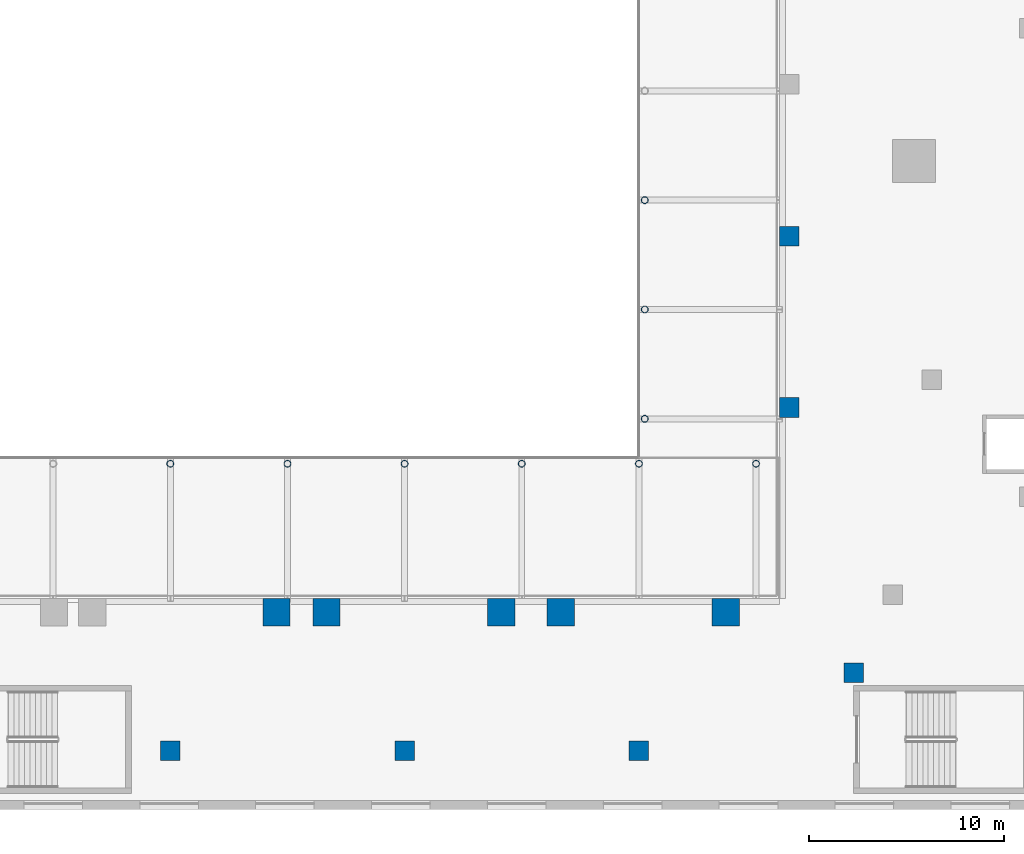
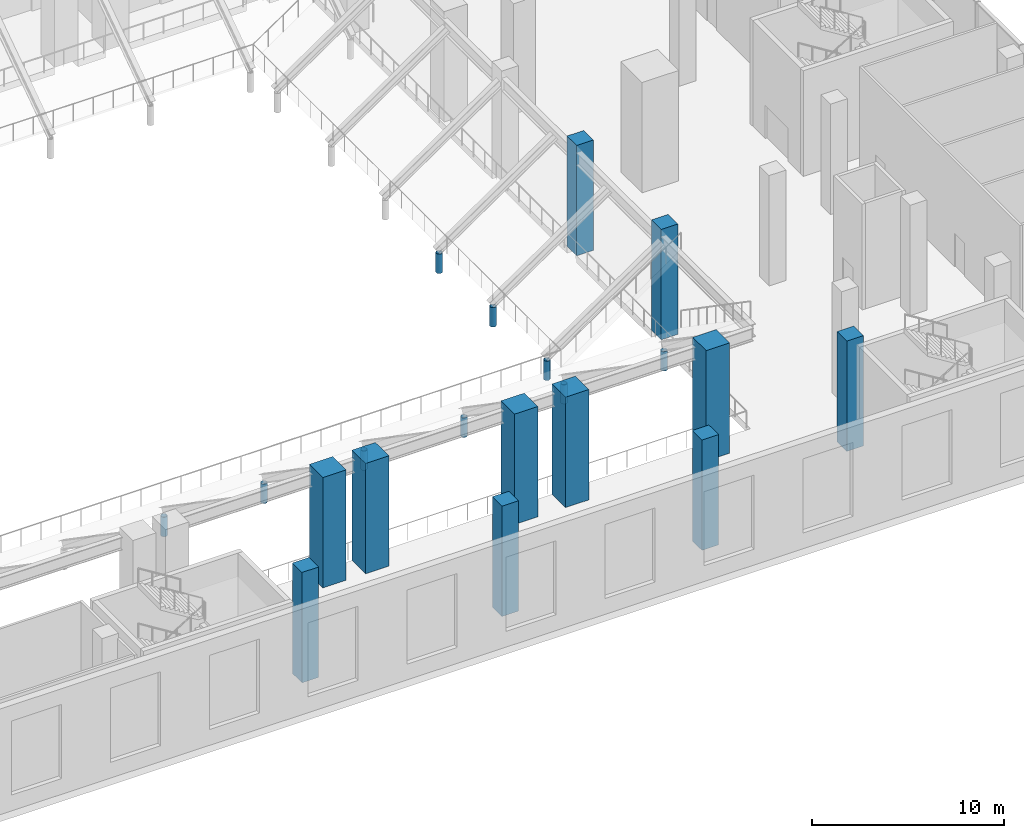
# One storey, part 5 of 41: 20 columns.
"""IFC4 building model written with IfcOpenShell, lengths in metres."""

from ifc_helpers import new_model, si_unit, direction, frame, origin, origin_2d, place, context, subcontext, project, spatial, rectangle, hollow_circle, extrude, material, material_profile, profile_set, type_object, element, save


model = new_model("IFC4")

# Units and contexts
model_context = context("Model", 3, precision=1e-05, world=origin(), true_north=direction((0.0, 1.0)))
body_context = subcontext(model_context, "Body", "Model", "MODEL_VIEW")
ifc_project = project(units=[si_unit("LENGTHUNIT", "METRE"), si_unit("AREAUNIT", "SQUARE_METRE"), si_unit("VOLUMEUNIT", "CUBIC_METRE"), si_unit("PLANEANGLEUNIT", "RADIAN"), si_unit("MASSUNIT", "GRAM", prefix="KILO")], contexts=[model_context])

# Site, building, storey
site_placement = place(None, origin())
site = spatial("IfcSite", under=ifc_project, at=site_placement, CompositionType="ELEMENT")
building_placement = place(site_placement, origin())
building = spatial("IfcBuilding", under=site, at=building_placement, Name="Wharfspan Tower", CompositionType="ELEMENT")
storey_placement = place(building_placement, frame((0.0, 0.0, 8.0)))
storey = spatial("IfcBuildingStorey", under=building, at=storey_placement, Name="L01", CompositionType="ELEMENT", Elevation=8.0)

# Columns
ifc_material_1 = material(Name="Concrete C60/75", Category="concrete")
ifc_material_profile_1 = material_profile(ifc_material_1, rectangle(XDim=1.0, YDim=1.0, at=origin_2d()))
ifc_profile_set_1 = profile_set([ifc_material_profile_1], Name="Concrete C60/75")
column_type_1 = type_object("IfcColumnType", Name="Concrete column 1000 square", PredefinedType="COLUMN", material=ifc_profile_set_1)
for number, where, z_axis, x_axis, name in (
    (1, (83.699951, -11.419922, 0.0), (0.0, 0.0, 1.0), (1.0, 0.0, 0.0), "Column G.E6"),
    (2, (83.699951, -2.639893, 0.0), (0.0, 0.0, 1.0), (1.0, 0.0, 0.0), "Column G.E7"),
    (3, (87.0, -25.0, 0.0), (0.0, 0.0, 1.0), (1.0, 0.0, 0.0), "Column D.20"),
    (4, (52.0, -29.0, 0.0), (0.0, 0.0, 1.0), (1.0, 0.0, 0.0), "Column D.26"),
    (5, (64.0, -29.0, 0.0), (0.0, 0.0, 1.0), (1.0, 0.0, 0.0), "Column D.30"),
    (6, (76.0, -29.0, 0.0), (0.0, 0.0, 1.0), (1.0, 0.0, 0.0), "Column D.31"),
):
    element("IfcColumn", number, at=place(storey_placement, frame(where, z_axis=z_axis, x_axis=x_axis)), inside=storey, type_object=column_type_1, Name=name, PredefinedType="COLUMN", context=body_context, shape_type="SweptSolid", body=[
        extrude(rectangle(XDim=1.0, YDim=1.0, at=origin_2d()), origin(), (0.0, 0.0, 1.0), 7.0),
    ])
ifc_material_profile_2 = material_profile(ifc_material_1, rectangle(XDim=1.399902, YDim=1.399902, at=origin_2d()))
ifc_profile_set_2 = profile_set([ifc_material_profile_2], Name="Concrete C60/75")
column_type_2 = type_object("IfcColumnType", Name="Concrete column 1400 square", PredefinedType="COLUMN", material=ifc_profile_set_2)
for number, where, z_axis, x_axis, name in (
    (7, (57.441895, -21.899902, 0.0), (0.0, 0.0, 1.0), (1.0, 0.0, 0.0), "Column RS.8"),
    (8, (60.0, -21.899902, 0.0), (0.0, 0.0, 1.0), (1.0, 0.0, 0.0), "Column RS.9"),
    (9, (68.941895, -21.899902, 0.0), (0.0, 0.0, 1.0), (1.0, 0.0, 0.0), "Column RS.10"),
    (10, (72.0, -21.899902, 0.0), (0.0, 0.0, 1.0), (1.0, 0.0, 0.0), "Column RS.11"),
    (11, (80.441895, -21.899902, 0.0), (0.0, 0.0, 1.0), (1.0, 0.0, 0.0), "Column RS.12"),
):
    element("IfcColumn", number, at=place(storey_placement, frame(where, z_axis=z_axis, x_axis=x_axis)), inside=storey, type_object=column_type_2, Name=name, PredefinedType="COLUMN", context=body_context, shape_type="SweptSolid", body=[
        extrude(rectangle(XDim=1.399902, YDim=1.399902, at=origin_2d()), origin(), (0.0, 0.0, 1.0), 7.0),
    ])
ifc_material_2 = material(Name="Steel S460NH", Category="steel")
ifc_material_profile_3 = material_profile(ifc_material_2, hollow_circle(Radius=0.177734, WallThickness=0.016113, at=origin_2d()))
ifc_profile_set_3 = profile_set([ifc_material_profile_3], Name="Steel S460NH")
column_type_3 = type_object("IfcColumnType", Name="Tier column CHS 356x16", PredefinedType="COLUMN", material=ifc_profile_set_3)
for number, where, z_axis, x_axis, name in (
    (12, (52.0, -14.300049, 0.0), (0.0, 0.0, 1.0), (1.0, 0.0, 0.0), "Upper tier column"),
    (13, (58.0, -14.300049, 0.0), (0.0, 0.0, 1.0), (1.0, 0.0, 0.0), "Upper tier column"),
    (14, (64.0, -14.300049, 0.0), (0.0, 0.0, 1.0), (1.0, 0.0, 0.0), "Upper tier column"),
    (15, (70.0, -14.300049, 0.0), (0.0, 0.0, 1.0), (1.0, 0.0, 0.0), "Upper tier column"),
    (16, (76.0, -14.300049, 0.0), (0.0, 0.0, 1.0), (1.0, 0.0, 0.0), "Upper tier column"),
    (17, (82.0, -14.300049, 0.0), (0.0, 0.0, 1.0), (1.0, 0.0, 0.0), "Upper tier column"),
    (18, (76.300049, -12.0, 0.0), (0.0, 0.0, 1.0), (1.0, 0.0, 0.0), "Upper tier column"),
    (19, (76.300049, -6.399902, 0.0), (0.0, 0.0, 1.0), (1.0, 0.0, 0.0), "Upper tier column"),
    (20, (76.300049, -0.800049, 0.0), (0.0, 0.0, 1.0), (1.0, 0.0, 0.0), "Upper tier column"),
):
    element("IfcColumn", number, at=place(storey_placement, frame(where, z_axis=z_axis, x_axis=x_axis)), inside=storey, type_object=column_type_3, Name=name, PredefinedType="COLUMN", context=body_context, shape_type="SweptSolid", body=[
        extrude(hollow_circle(Radius=0.177734, WallThickness=0.016113, at=origin_2d()), origin(), (0.0, 0.0, 1.0), 1.229248),
    ])

save(model, "model.ifc")
